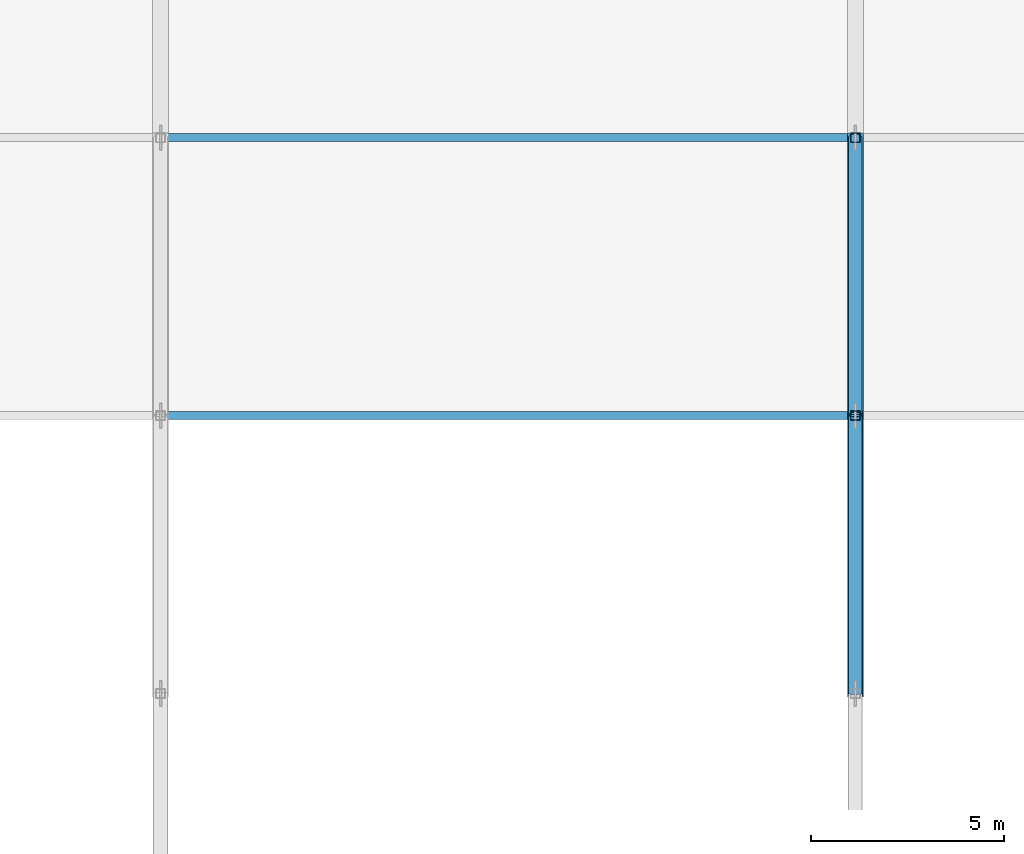
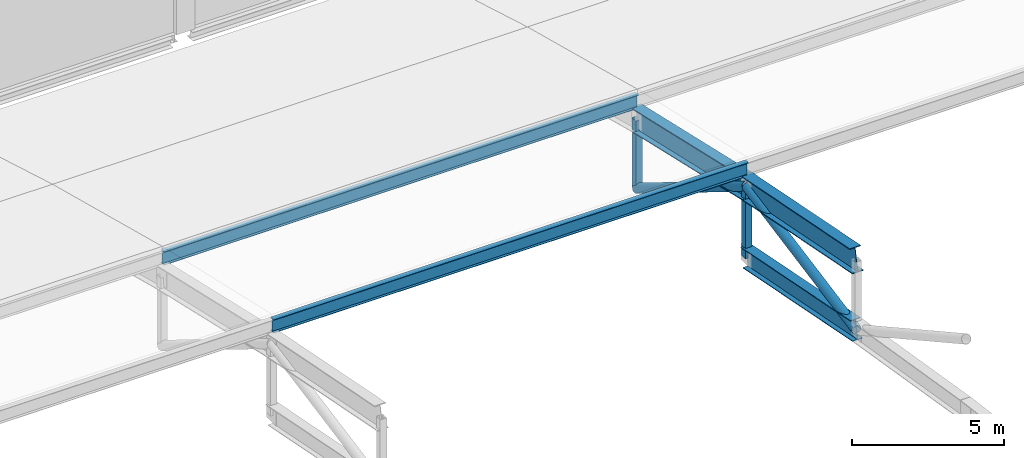
# One storey, part 35 of 124: 9 members.
"""IFC4 building model written with IfcOpenShell, lengths in metres."""

import ifcopenshell
import ifcopenshell.guid

model = None  # the IFC model being written
_history = None  # IfcOwnerHistory: only IFC2X3 demands one
_inside = {}  # id of a spatial element -> (the spatial element, [elements in it])
_under = {}  # id of a project, library or spatial element -> (it, [spatial elements below it])
_declared = {}  # id of a project -> (the project, [libraries it declares])
_typed = {}  # id of a type object -> (the type object, [elements of that type])
_made_of = {}  # id of a material, layer set ... -> (it, [elements and type objects made of it])


def new_model(schema):
    """Start an empty IFC model of exactly this schema.

    Asked for "IFC4X3", IfcOpenShell would pick the latest addendum, in which some entities
    have other attributes; the version numbers below select the first issue.
    IFC2X3 requires an IfcOwnerHistory on every rooted entity: one is made here for all.
    """
    global model, _history
    if schema == "IFC4X3":
        model = ifcopenshell.file(schema_version=(4, 3, 0, 0))
    else:
        model = ifcopenshell.file(schema=schema)
    _inside.clear()
    _under.clear()
    _declared.clear()
    _typed.clear()
    _made_of.clear()
    _history = None
    if model.schema == "IFC2X3":
        org = make("IfcOrganization", Name="unknown")
        user = make(
            "IfcPersonAndOrganization",
            ThePerson=make("IfcPerson", FamilyName="unknown"),
            TheOrganization=org,
        )
        app = make(
            "IfcApplication",
            ApplicationDeveloper=org,
            Version="unknown",
            ApplicationFullName="unknown",
            ApplicationIdentifier="unknown",
        )
        _history = make(
            "IfcOwnerHistory",
            OwningUser=user,
            OwningApplication=app,
            ChangeAction="ADDED",
            CreationDate=0,
        )
    return model


def make(cls, **values):
    """One entity of the class cls with the attributes given. An attribute that is None is left unset."""
    return model.create_entity(
        cls, **{name: value for name, value in values.items() if value is not None}
    )


def rooted(cls, **values):
    """An entity with a GlobalId (a new one), such as an element, a storey or a relation."""
    return make(cls, GlobalId=ifcopenshell.guid.new(), OwnerHistory=_history, **values)


def si_unit(unit_type, name, prefix=None):
    """IfcSIUnit, for example si_unit("LENGTHUNIT", "METRE", prefix="MILLI")."""
    return make("IfcSIUnit", UnitType=unit_type, Prefix=prefix, Name=name)


def assignment(units):
    """IfcUnitAssignment: the units of a project."""
    return None if units is None else make("IfcUnitAssignment", Units=units)


def point(xyz):
    """IfcCartesianPoint."""
    return None if xyz is None else make("IfcCartesianPoint", Coordinates=xyz)


def direction(xyz):
    """IfcDirection."""
    return None if xyz is None else make("IfcDirection", DirectionRatios=xyz)


def frame(location, z_axis=None, x_axis=None):
    """IfcAxis2Placement3D, a coordinate frame: its origin and axes. An axis left out is left unset."""
    return make(
        "IfcAxis2Placement3D",
        Location=point(location),
        Axis=direction(z_axis),
        RefDirection=direction(x_axis),
    )


def frame_2d(location, x_axis=None):
    """IfcAxis2Placement2D, a coordinate frame in the plane: its origin and x axis."""
    return make(
        "IfcAxis2Placement2D", Location=point(location), RefDirection=direction(x_axis)
    )


def origin():
    """The frame at (0, 0, 0) with its axes left unset."""
    return frame((0.0, 0.0, 0.0))


def origin_2d():
    """The frame at (0, 0) in the plane with its x axis left unset."""
    return frame_2d((0.0, 0.0))


def place(relative_to, where):
    """IfcLocalPlacement: puts the frame where relative to a parent placement (None: the world)."""
    return make(
        "IfcLocalPlacement", PlacementRelTo=relative_to, RelativePlacement=where
    )


def context(
    kind, dimensions, precision=None, world=None, true_north=None, identifier=None
):
    """IfcGeometricRepresentationContext, for example the 3D "Model" context."""
    return make(
        "IfcGeometricRepresentationContext",
        ContextIdentifier=identifier,
        ContextType=kind,
        CoordinateSpaceDimension=dimensions,
        Precision=precision,
        WorldCoordinateSystem=world,
        TrueNorth=true_north,
    )


def subcontext(parent, identifier, kind, view, scale=None):
    """IfcGeometricRepresentationSubContext, for example "Body" below "Model"."""
    return make(
        "IfcGeometricRepresentationSubContext",
        ContextIdentifier=identifier,
        ContextType=kind,
        ParentContext=parent,
        TargetScale=scale,
        TargetView=view,
    )


def project(units=None, contexts=None):
    """IfcProject with its units and contexts."""
    return rooted(
        "IfcProject",
        Name="project",
        RepresentationContexts=contexts,
        UnitsInContext=assignment(units),
    )


def spatial(cls, under=None, at=None, **own):
    """A site, building, storey or space (cls), placed at a placement, below another one or the project."""
    s = rooted(cls, ObjectPlacement=at, **own)
    if under is not None:
        _under.setdefault(under.id(), (under, []))[1].append(s)
    return s


def profile(cls, at=None, kind="AREA", **sizes):
    """A parametric profile (cls). Its sizes go by their IFC names, for example OverallWidth=200.0."""
    return make(cls, ProfileType=kind, Position=at, **sizes)


def hollow_rectangle(**sizes):
    """IfcRectangleHollowProfileDef."""
    return profile("IfcRectangleHollowProfileDef", **sizes)


def hollow_circle(**sizes):
    """IfcCircleHollowProfileDef."""
    return profile("IfcCircleHollowProfileDef", **sizes)


def i_section(**sizes):
    """IfcIShapeProfileDef."""
    return profile("IfcIShapeProfileDef", **sizes)


def extrude(swept, where, along, depth):
    """IfcExtrudedAreaSolid: the profile swept, set in the frame where, extruded along a direction by depth."""
    return make(
        "IfcExtrudedAreaSolid",
        SweptArea=swept,
        Position=where,
        ExtrudedDirection=direction(along),
        Depth=depth,
    )


def shape(context_of_items, identifier, shape_type, items):
    """IfcShapeRepresentation: the items that make up one representation, for example the "Body"."""
    return make(
        "IfcShapeRepresentation",
        ContextOfItems=context_of_items,
        RepresentationIdentifier=identifier,
        RepresentationType=shape_type,
        Items=items,
    )


def material(Name=None, Category=None):
    """IfcMaterial."""
    return make("IfcMaterial", Name=Name, Category=Category)


def material_profile(
    of_material, cross_section, Name=None, Category=None, Priority=None
):
    """IfcMaterialProfile: a cross section and its material."""
    return make(
        "IfcMaterialProfile",
        Name=Name,
        Material=of_material,
        Profile=cross_section,
        Priority=Priority,
        Category=Category,
    )


def profile_set(profiles, Name=None, composite=None):
    """IfcMaterialProfileSet."""
    return make(
        "IfcMaterialProfileSet",
        Name=Name,
        MaterialProfiles=profiles,
        CompositeProfile=composite,
    )


def made_of(thing, what):
    """Note that an element or type object is made of a material, layer set ...; save() writes the relation."""
    if what is not None:
        _made_of.setdefault(what.id(), (what, []))[1].append(thing)
    return thing


def type_object(cls, material=None, **own):
    """A type object (cls), such as IfcWallType, which elements share."""
    return made_of(rooted(cls, **own), material)


def element(
    cls,
    number,
    at=None,
    inside=None,
    cuts=None,
    type_object=None,
    material=None,
    context=None,
    identifier="Body",
    shape_type=None,
    held_by="IfcProductDefinitionShape",
    body=None,
    shapes=None,
    **own,
):
    """One element of the class cls, such as IfcWall. Its Tag is "e" and its number.

    at: its placement. inside: the storey or other place that contains it. cuts: it is an
    opening in that element (IfcRelVoidsElement). A single representation is given by context,
    identifier, shape_type and body (its items); several are given by shapes. held_by: the class
    of the entity that holds the representations. save() writes the other relations.
    """
    e = rooted(cls, Tag="e%d" % number, ObjectPlacement=at, **own)
    if body is not None:
        shapes = [shape(context, identifier, shape_type, body)]
    if shapes is not None:
        e.Representation = make(held_by, Representations=shapes)
    if inside is not None:
        _inside.setdefault(inside.id(), (inside, []))[1].append(e)
    if cuts is not None:
        rooted(
            "IfcRelVoidsElement", RelatingBuildingElement=cuts, RelatedOpeningElement=e
        )
    if type_object is not None:
        _typed.setdefault(type_object.id(), (type_object, []))[1].append(e)
    return made_of(e, material)


def aggregate(whole, parts):
    """IfcRelAggregates: a whole, such as a stair, and the parts it consists of."""
    return rooted("IfcRelAggregates", RelatingObject=whole, RelatedObjects=parts)


def save(model, path):
    """Write the relations noted so far, then the file.

    IfcRelAggregates (storeys below a building ...), IfcRelContainedInSpatialStructure (elements
    in a storey), IfcRelDefinesByType, IfcRelAssociatesMaterial and IfcRelDeclares: one each for
    every whole, place, type object, material and project.
    """
    for whole, parts in _under.values():
        aggregate(whole, parts)
    for where, things in _inside.values():
        rooted(
            "IfcRelContainedInSpatialStructure",
            RelatedElements=things,
            RelatingStructure=where,
        )
    for kind, things in _typed.values():
        rooted("IfcRelDefinesByType", RelatedObjects=things, RelatingType=kind)
    for what, things in _made_of.values():
        rooted("IfcRelAssociatesMaterial", RelatedObjects=things, RelatingMaterial=what)
    for by, libraries in _declared.values():
        rooted("IfcRelDeclares", RelatingContext=by, RelatedDefinitions=libraries)
    model.write(path)


model = new_model("IFC4")

# Units and contexts
model_context = context("Model", 3, precision=1e-05, world=origin(), true_north=direction((0.0, 1.0)))
body_context = subcontext(model_context, "Body", "Model", "MODEL_VIEW")
ifc_project = project(units=[si_unit("LENGTHUNIT", "METRE"), si_unit("AREAUNIT", "SQUARE_METRE"), si_unit("VOLUMEUNIT", "CUBIC_METRE"), si_unit("PLANEANGLEUNIT", "RADIAN"), si_unit("MASSUNIT", "GRAM", prefix="KILO")], contexts=[model_context])

# Site, building, storey
site_placement = place(None, origin())
site = spatial("IfcSite", under=ifc_project, at=site_placement, CompositionType="ELEMENT")
building_placement = place(site_placement, origin())
building = spatial("IfcBuilding", under=site, at=building_placement, Name="Celestram Park Convention Centre", CompositionType="ELEMENT")
storey_placement = place(building_placement, frame((0.0, 0.0, 15.300048828125)))
storey = spatial("IfcBuildingStorey", under=building, at=storey_placement, Name="L03", CompositionType="ELEMENT", Elevation=15.300048828125)

# Members
ifc_material_1 = material(Name="Steel ASTM A500 Grade C", Category="steel")
ifc_material_profile_1 = material_profile(ifc_material_1, hollow_circle(Radius=0.177978515625, WallThickness=0.011962890625, at=origin_2d()), Name="CHS356X12")
ifc_profile_set_1 = profile_set([ifc_material_profile_1], Name="Steel ASTM A500 Grade C")
member_type_1 = type_object("IfcMemberType", Name="STR-BRC-CHS356", PredefinedType="BRACE", material=ifc_profile_set_1)
member_1_placement = place(storey_placement, frame((108.0, 79.199951171875, 2.181640625), z_axis=(0.0, 0.982076449011, 0.188483018595), x_axis=(-1.0, 0.0, 0.0)))
element("IfcMember", 1, at=member_1_placement, inside=storey, type_object=member_type_1, Name="V1 arch web diagonal", PredefinedType="BRACE", context=body_context, shape_type="SweptSolid", body=[
    extrude(hollow_circle(Radius=0.177978515625, WallThickness=0.011962890625, at=origin_2d()), origin(), (0.0, 0.0, 1.0), 7.331298828125),
])
member_2_placement = place(storey_placement, frame((108.0, 86.39990234375, 3.5634765625), z_axis=(0.0, 0.850741852858, -0.525583770483), x_axis=(-1.0, 0.0, 0.0)))
element("IfcMember", 2, at=member_2_placement, inside=storey, type_object=member_type_1, Name="V1 arch web diagonal", PredefinedType="BRACE", context=body_context, shape_type="SweptSolid", body=[
    extrude(hollow_circle(Radius=0.177978515625, WallThickness=0.011962890625, at=origin_2d()), origin(), (0.0, 0.0, 1.0), 8.46337890625),
])
ifc_material_2 = material(Name="Steel ASTM A992 Grade 50", Category="steel")
ifc_material_profile_2 = material_profile(ifc_material_2, i_section(OverallWidth=0.381103515625, OverallDepth=0.77197265625, WebThickness=0.0166015625, FlangeThickness=0.027099609375, at=origin_2d()), Name="W30X173")
ifc_profile_set_2 = profile_set([ifc_material_profile_2], Name="Steel ASTM A992 Grade 50")
member_type_2 = type_object("IfcMemberType", Name="STR-CHD-W30X173", PredefinedType="CHORD", material=ifc_profile_set_2)
member_3_placement = place(storey_placement, frame((108.0, 79.199951171875, 2.181640625), z_axis=(0.0, 0.981147221646, -0.193261815827), x_axis=(-1.0, 0.0, 0.0)))
element("IfcMember", 3, at=member_3_placement, inside=storey, type_object=member_type_2, Name="V1 arch bottom chord", PredefinedType="CHORD", context=body_context, shape_type="SweptSolid", body=[
    extrude(i_section(OverallWidth=0.381103515625, OverallDepth=0.77197265625, WebThickness=0.0166015625, FlangeThickness=0.027099609375, at=origin_2d()), origin(), (0.0, 0.0, 1.0), 7.33837890625),
])
ifc_material_profile_3 = material_profile(ifc_material_2, i_section(OverallWidth=0.4189453125, OverallDepth=0.927001953125, WebThickness=0.019287109375, FlangeThickness=0.031982421875, at=origin_2d()), Name="W36X231")
ifc_profile_set_3 = profile_set([ifc_material_profile_3], Name="Steel ASTM A992 Grade 50")
member_type_3 = type_object("IfcMemberType", Name="STR-CHD-W36X231", PredefinedType="CHORD", material=ifc_profile_set_3)
member_4_placement = place(storey_placement, frame((108.0, 79.199951171875, 4.981689453125), z_axis=(0.0, 0.981147221646, -0.193261815827), x_axis=(-1.0, 0.0, 0.0)))
element("IfcMember", 4, at=member_4_placement, inside=storey, type_object=member_type_3, Name="V1 arch top chord", PredefinedType="CHORD", context=body_context, shape_type="SweptSolid", body=[
    extrude(i_section(OverallWidth=0.4189453125, OverallDepth=0.927001953125, WebThickness=0.019287109375, FlangeThickness=0.031982421875, at=origin_2d()), origin(), (0.0, 0.0, 1.0), 7.33837890625),
])
member_5_placement = place(storey_placement, frame((108.0, 86.39990234375, 3.5634765625), z_axis=(0.0, 0.974779673899, -0.223169414016), x_axis=(-1.0, 0.0, 0.0)))
element("IfcMember", 5, at=member_5_placement, inside=storey, type_object=member_type_3, Name="V1 arch top chord", PredefinedType="CHORD", context=body_context, shape_type="SweptSolid", body=[
    extrude(i_section(OverallWidth=0.4189453125, OverallDepth=0.927001953125, WebThickness=0.019287109375, FlangeThickness=0.031982421875, at=origin_2d()), origin(), (0.0, 0.0, 1.0), 7.386474609375),
])
ifc_material_profile_4 = material_profile(ifc_material_2, i_section(OverallWidth=0.2099609375, OverallDepth=0.532958984375, WebThickness=0.01025390625, FlangeThickness=0.015625, at=origin_2d()), Name="W21X62")
ifc_profile_set_4 = profile_set([ifc_material_profile_4], Name="Steel ASTM A992 Grade 50")
member_type_4 = type_object("IfcMemberType", Name="STR-RFT-W21X62", PredefinedType="RAFTER", material=ifc_profile_set_4)
for number, where, z_axis, x_axis, name in (
    (6, (90.0, 86.39990234375, 4.29345703125), (1.0, 0.0, 0.0), (0.0, 1.0, 0.0), "V1 roof purlin"),
    (7, (90.0, 93.60009765625, 2.645263671875), (1.0, 0.0, 0.0), (0.0, 1.0, 0.0), "V1 roof purlin"),
):
    element("IfcMember", number, at=place(storey_placement, frame(where, z_axis=z_axis, x_axis=x_axis)), inside=storey, type_object=member_type_4, Name=name, PredefinedType="RAFTER", context=body_context, shape_type="SweptSolid", body=[
        extrude(i_section(OverallWidth=0.2099609375, OverallDepth=0.532958984375, WebThickness=0.01025390625, FlangeThickness=0.015625, at=origin_2d()), origin(), (0.0, 0.0, 1.0), 18.0),
    ])
ifc_material_profile_5 = material_profile(ifc_material_1, hollow_rectangle(XDim=0.25, YDim=0.25, WallThickness=0.011962890625, at=origin_2d()), Name="HSS250X250X12")
ifc_profile_set_5 = profile_set([ifc_material_profile_5], Name="Steel ASTM A500 Grade C")
member_type_5 = type_object("IfcMemberType", Name="STR-STR-HSS250", PredefinedType="STRUT", material=ifc_profile_set_5)
member_6_placement = place(storey_placement, frame((108.0, 86.39990234375, 0.763427734375), z_axis=(0.0, 0.0, 1.0), x_axis=(1.0, 0.0, 0.0)))
element("IfcMember", 8, at=member_6_placement, inside=storey, type_object=member_type_5, Name="V1 arch vertical strut", PredefinedType="STRUT", context=body_context, shape_type="SweptSolid", body=[
    extrude(hollow_rectangle(XDim=0.25, YDim=0.25, WallThickness=0.011962890625, at=origin_2d()), origin(), (0.0, 0.0, 1.0), 2.800048828125),
])
member_7_placement = place(storey_placement, frame((108.0, 93.60009765625, -0.884765625), z_axis=(0.0, 0.0, 1.0), x_axis=(1.0, 0.0, 0.0)))
element("IfcMember", 9, at=member_7_placement, inside=storey, type_object=member_type_5, Name="V1 arch vertical strut", PredefinedType="STRUT", context=body_context, shape_type="SweptSolid", body=[
    extrude(hollow_rectangle(XDim=0.25, YDim=0.25, WallThickness=0.011962890625, at=origin_2d()), origin(), (0.0, 0.0, 1.0), 2.7998046875),
])

save(model, "model.ifc")
